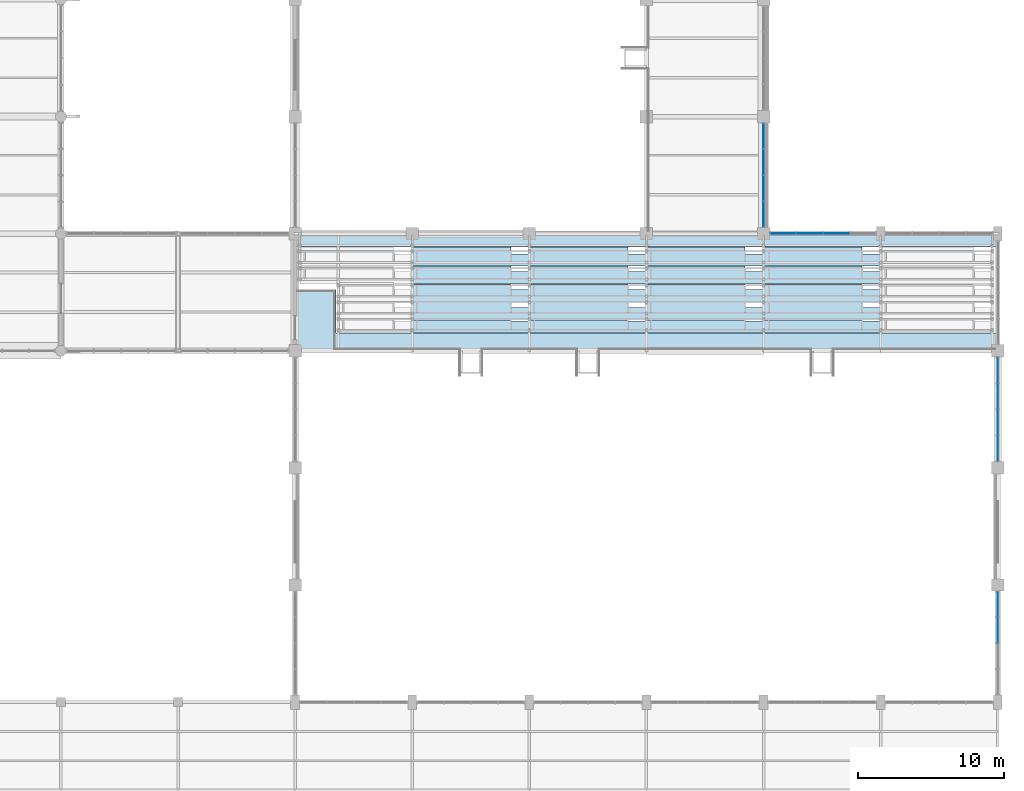
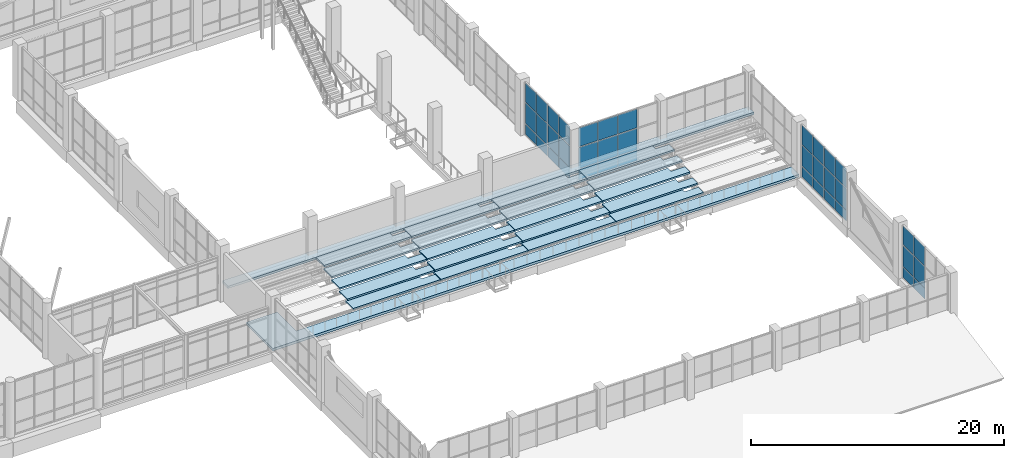
# One storey, part 93 of 122: 39 plates, 22 slabs, 4 elements without a shape of their own.
"""IFC4 building model written with IfcOpenShell, lengths in metres."""

from ifc_helpers import new_model, si_unit, direction, frame, origin, origin_2d, place, context, subcontext, project, spatial, polyline, rectangle, outline, extrude, material, layer, layer_set, type_object, element, aggregate, save


model = new_model("IFC4")

# Units and contexts
model_context = context("Model", 3, precision=1e-05, world=origin(), true_north=direction((0.0, 1.0)))
body_context = subcontext(model_context, "Body", "Model", "MODEL_VIEW")
ifc_project = project(units=[si_unit("LENGTHUNIT", "METRE"), si_unit("AREAUNIT", "SQUARE_METRE"), si_unit("VOLUMEUNIT", "CUBIC_METRE"), si_unit("PLANEANGLEUNIT", "RADIAN"), si_unit("MASSUNIT", "GRAM", prefix="KILO")], contexts=[model_context])

# Site, building, storey
site_placement = place(None, origin())
site = spatial("IfcSite", under=ifc_project, at=site_placement, CompositionType="ELEMENT")
building_placement = place(site_placement, origin())
building = spatial("IfcBuilding", under=site, at=building_placement, Name="Tenunan Teduh Sports Hall", CompositionType="ELEMENT")
storey_placement = place(building_placement, frame((0.0, 0.0, 5.39990234375)))
storey = spatial("IfcBuildingStorey", under=building, at=storey_placement, Name="L01", CompositionType="ELEMENT", Elevation=5.39990234375)

# Curtain wall, plates
ifc_material_1 = material(Name="Anodised aluminium", Category="aluminium")
curtain_wall_type = type_object("IfcCurtainWallType", Name="CW-UNIT-1", PredefinedType="NOTDEFINED", material=ifc_material_1)
curtain_wall_1_placement = place(storey_placement, origin())
curtain_wall_1 = element("IfcCurtainWall", 1, at=curtain_wall_1_placement, inside=storey, type_object=curtain_wall_type, Name="CW-CWM-200-L01-012", PredefinedType="NOTDEFINED")
ifc_material_2 = material(Name="Low-E laminated double glazing", Category="glass")
ifc_layer_1 = layer(ifc_material_2, 0.028076171875)
ifc_layer_set_1 = layer_set([ifc_layer_1], Name="Low-E laminated double glazing")
plate_type_1 = type_object("IfcPlateType", Name="CWP-GLZ-28", PredefinedType="CURTAIN_PANEL", material=ifc_layer_set_1)
plate_1_placement = place(storey_placement, frame((155.351806640625, 46.0, 1.13525390625), z_axis=(0.0, 0.0, 1.0), x_axis=(1.0, 0.0, 0.0)))
plate_1 = element("IfcPlate", 2, at=plate_1_placement, type_object=plate_type_1, Name="CW-01 panel 1.2", PredefinedType="CURTAIN_PANEL", context=body_context, shape_type="SweptSolid", body=[
    extrude(rectangle(XDim=1.7138671875, YDim=0.028076171875, at=origin_2d()), origin(), (0.0, 0.0, 1.0), 2.030029296875),
])
plate_2_placement = place(storey_placement, frame((155.351806640625, 46.0, 3.235107421875), z_axis=(0.0, 0.0, 1.0), x_axis=(1.0, 0.0, 0.0)))
plate_2 = element("IfcPlate", 3, at=plate_2_placement, type_object=plate_type_1, Name="CW-01 panel 1.3", PredefinedType="CURTAIN_PANEL", context=body_context, shape_type="SweptSolid", body=[
    extrude(rectangle(XDim=1.7138671875, YDim=0.028076171875, at=origin_2d()), origin(), (0.0, 0.0, 1.0), 1.81494140625),
])
plate_3_placement = place(storey_placement, frame((157.153076171875, 46.0, 1.13525390625), z_axis=(0.0, 0.0, 1.0), x_axis=(1.0, 0.0, 0.0)))
plate_3 = element("IfcPlate", 4, at=plate_3_placement, type_object=plate_type_1, Name="CW-01 panel 2.2", PredefinedType="CURTAIN_PANEL", context=body_context, shape_type="SweptSolid", body=[
    extrude(rectangle(XDim=1.748779296875, YDim=0.028076171875, at=origin_2d()), origin(), (0.0, 0.0, 1.0), 2.030029296875),
])
plate_4_placement = place(storey_placement, frame((157.153076171875, 46.0, 3.235107421875), z_axis=(0.0, 0.0, 1.0), x_axis=(1.0, 0.0, 0.0)))
plate_4 = element("IfcPlate", 5, at=plate_4_placement, type_object=plate_type_1, Name="CW-01 panel 2.3", PredefinedType="CURTAIN_PANEL", context=body_context, shape_type="SweptSolid", body=[
    extrude(rectangle(XDim=1.748779296875, YDim=0.028076171875, at=origin_2d()), origin(), (0.0, 0.0, 1.0), 1.81494140625),
])
plate_5_placement = place(storey_placement, frame((158.971923828125, 46.0, 1.13525390625), z_axis=(0.0, 0.0, 1.0), x_axis=(1.0, 0.0, 0.0)))
plate_5 = element("IfcPlate", 6, at=plate_5_placement, type_object=plate_type_1, Name="CW-01 panel 3.2", PredefinedType="CURTAIN_PANEL", context=body_context, shape_type="SweptSolid", body=[
    extrude(rectangle(XDim=1.748779296875, YDim=0.028076171875, at=origin_2d()), origin(), (0.0, 0.0, 1.0), 2.030029296875),
])
plate_6_placement = place(storey_placement, frame((158.971923828125, 46.0, 3.235107421875), z_axis=(0.0, 0.0, 1.0), x_axis=(1.0, 0.0, 0.0)))
plate_6 = element("IfcPlate", 7, at=plate_6_placement, type_object=plate_type_1, Name="CW-01 panel 3.3", PredefinedType="CURTAIN_PANEL", context=body_context, shape_type="SweptSolid", body=[
    extrude(rectangle(XDim=1.748779296875, YDim=0.028076171875, at=origin_2d()), origin(), (0.0, 0.0, 1.0), 1.81494140625),
])

curtain_wall_2_placement = place(storey_placement, origin())
curtain_wall_2 = element("IfcCurtainWall", 8, at=curtain_wall_2_placement, inside=storey, type_object=curtain_wall_type, Name="CW-CWM-200-L01-016", PredefinedType="NOTDEFINED")
plate_7_placement = place(storey_placement, frame((170.0, 18.921875, 1.13525390625), z_axis=(0.0, 0.0, 1.0), x_axis=(0.0, 1.0, 0.0)))
plate_7 = element("IfcPlate", 9, at=plate_7_placement, type_object=plate_type_1, Name="CW-01 panel 3.2", PredefinedType="CURTAIN_PANEL", context=body_context, shape_type="SweptSolid", body=[
    extrude(rectangle(XDim=1.69873046875, YDim=0.028076171875, at=origin_2d()), origin(), (0.0, 0.0, 1.0), 2.030029296875),
])
plate_8_placement = place(storey_placement, frame((170.0, 18.921875, 3.235107421875), z_axis=(0.0, 0.0, 1.0), x_axis=(0.0, 1.0, 0.0)))
plate_8 = element("IfcPlate", 10, at=plate_8_placement, type_object=plate_type_1, Name="CW-01 panel 3.3", PredefinedType="CURTAIN_PANEL", context=body_context, shape_type="SweptSolid", body=[
    extrude(rectangle(XDim=1.69873046875, YDim=0.028076171875, at=origin_2d()), origin(), (0.0, 0.0, 1.0), 1.81494140625),
])
plate_9_placement = place(storey_placement, frame((170.0, 20.673095703125, 1.13525390625), z_axis=(0.0, 0.0, 1.0), x_axis=(0.0, 1.0, 0.0)))
plate_9 = element("IfcPlate", 11, at=plate_9_placement, type_object=plate_type_1, Name="CW-01 panel 4.2", PredefinedType="CURTAIN_PANEL", context=body_context, shape_type="SweptSolid", body=[
    extrude(rectangle(XDim=1.663818359375, YDim=0.028076171875, at=origin_2d()), origin(), (0.0, 0.0, 1.0), 2.030029296875),
])
plate_10_placement = place(storey_placement, frame((170.0, 20.673095703125, 3.235107421875), z_axis=(0.0, 0.0, 1.0), x_axis=(0.0, 1.0, 0.0)))
plate_10 = element("IfcPlate", 12, at=plate_10_placement, type_object=plate_type_1, Name="CW-01 panel 4.3", PredefinedType="CURTAIN_PANEL", context=body_context, shape_type="SweptSolid", body=[
    extrude(rectangle(XDim=1.663818359375, YDim=0.028076171875, at=origin_2d()), origin(), (0.0, 0.0, 1.0), 1.81494140625),
])

curtain_wall_3_placement = place(storey_placement, origin())
curtain_wall_3 = element("IfcCurtainWall", 13, at=curtain_wall_3_placement, inside=storey, type_object=curtain_wall_type, Name="CW-CWM-175-L01-018", PredefinedType="NOTDEFINED")
plate_11_placement = place(storey_placement, frame((170.0, 31.3349609375, 1.1328125), z_axis=(0.0, 0.0, 1.0), x_axis=(0.0, 1.0, 0.0)))
plate_11 = element("IfcPlate", 14, at=plate_11_placement, type_object=plate_type_1, Name="CW-01 panel 1.2", PredefinedType="CURTAIN_PANEL", context=body_context, shape_type="SweptSolid", body=[
    extrude(rectangle(XDim=1.68994140625, YDim=0.028076171875, at=origin_2d()), origin(), (0.0, 0.0, 1.0), 2.034912109375),
])
plate_12_placement = place(storey_placement, frame((170.0, 31.3349609375, 3.232421875), z_axis=(0.0, 0.0, 1.0), x_axis=(0.0, 1.0, 0.0)))
plate_12 = element("IfcPlate", 15, at=plate_12_placement, type_object=plate_type_1, Name="CW-01 panel 1.3", PredefinedType="CURTAIN_PANEL", context=body_context, shape_type="SweptSolid", body=[
    extrude(rectangle(XDim=1.68994140625, YDim=0.028076171875, at=origin_2d()), origin(), (0.0, 0.0, 1.0), 1.822509765625),
])
plate_13_placement = place(storey_placement, frame((170.0, 33.106201171875, 1.1328125), z_axis=(0.0, 0.0, 1.0), x_axis=(0.0, 1.0, 0.0)))
plate_13 = element("IfcPlate", 16, at=plate_13_placement, type_object=plate_type_1, Name="CW-01 panel 2.2", PredefinedType="CURTAIN_PANEL", context=body_context, shape_type="SweptSolid", body=[
    extrude(rectangle(XDim=1.722412109375, YDim=0.028076171875, at=origin_2d()), origin(), (0.0, 0.0, 1.0), 2.034912109375),
])
plate_14_placement = place(storey_placement, frame((170.0, 33.106201171875, 3.232421875), z_axis=(0.0, 0.0, 1.0), x_axis=(0.0, 1.0, 0.0)))
plate_14 = element("IfcPlate", 17, at=plate_14_placement, type_object=plate_type_1, Name="CW-01 panel 2.3", PredefinedType="CURTAIN_PANEL", context=body_context, shape_type="SweptSolid", body=[
    extrude(rectangle(XDim=1.722412109375, YDim=0.028076171875, at=origin_2d()), origin(), (0.0, 0.0, 1.0), 1.822509765625),
])
plate_15_placement = place(storey_placement, frame((170.0, 34.893798828125, 1.1328125), z_axis=(0.0, 0.0, 1.0), x_axis=(0.0, 1.0, 0.0)))
plate_15 = element("IfcPlate", 18, at=plate_15_placement, type_object=plate_type_1, Name="CW-01 panel 3.2", PredefinedType="CURTAIN_PANEL", context=body_context, shape_type="SweptSolid", body=[
    extrude(rectangle(XDim=1.722412109375, YDim=0.028076171875, at=origin_2d()), origin(), (0.0, 0.0, 1.0), 2.034912109375),
])
plate_16_placement = place(storey_placement, frame((170.0, 34.893798828125, 3.232421875), z_axis=(0.0, 0.0, 1.0), x_axis=(0.0, 1.0, 0.0)))
plate_16 = element("IfcPlate", 19, at=plate_16_placement, type_object=plate_type_1, Name="CW-01 panel 3.3", PredefinedType="CURTAIN_PANEL", context=body_context, shape_type="SweptSolid", body=[
    extrude(rectangle(XDim=1.722412109375, YDim=0.028076171875, at=origin_2d()), origin(), (0.0, 0.0, 1.0), 1.822509765625),
])
plate_17_placement = place(storey_placement, frame((170.0, 36.6650390625, 1.1328125), z_axis=(0.0, 0.0, 1.0), x_axis=(0.0, 1.0, 0.0)))
plate_17 = element("IfcPlate", 20, at=plate_17_placement, type_object=plate_type_1, Name="CW-01 panel 4.2", PredefinedType="CURTAIN_PANEL", context=body_context, shape_type="SweptSolid", body=[
    extrude(rectangle(XDim=1.68994140625, YDim=0.028076171875, at=origin_2d()), origin(), (0.0, 0.0, 1.0), 2.034912109375),
])
plate_18_placement = place(storey_placement, frame((170.0, 36.6650390625, 3.232421875), z_axis=(0.0, 0.0, 1.0), x_axis=(0.0, 1.0, 0.0)))
plate_18 = element("IfcPlate", 21, at=plate_18_placement, type_object=plate_type_1, Name="CW-01 panel 4.3", PredefinedType="CURTAIN_PANEL", context=body_context, shape_type="SweptSolid", body=[
    extrude(rectangle(XDim=1.68994140625, YDim=0.028076171875, at=origin_2d()), origin(), (0.0, 0.0, 1.0), 1.822509765625),
])

curtain_wall_4_placement = place(storey_placement, origin())
curtain_wall_4 = element("IfcCurtainWall", 22, at=curtain_wall_4_placement, inside=storey, type_object=curtain_wall_type, Name="CW-CWM-175-L01-122", PredefinedType="NOTDEFINED")
plate_19_placement = place(storey_placement, frame((154.0, 47.3349609375, 1.1328125), z_axis=(0.0, 0.0, 1.0), x_axis=(0.0, 1.0, 0.0)))
plate_19 = element("IfcPlate", 23, at=plate_19_placement, type_object=plate_type_1, Name="CW-01 panel 1.2", PredefinedType="CURTAIN_PANEL", context=body_context, shape_type="SweptSolid", body=[
    extrude(rectangle(XDim=1.68994140625, YDim=0.028076171875, at=origin_2d()), origin(), (0.0, 0.0, 1.0), 2.034912109375),
])
plate_20_placement = place(storey_placement, frame((154.0, 47.3349609375, 3.232421875), z_axis=(0.0, 0.0, 1.0), x_axis=(0.0, 1.0, 0.0)))
plate_20 = element("IfcPlate", 24, at=plate_20_placement, type_object=plate_type_1, Name="CW-01 panel 1.3", PredefinedType="CURTAIN_PANEL", context=body_context, shape_type="SweptSolid", body=[
    extrude(rectangle(XDim=1.68994140625, YDim=0.028076171875, at=origin_2d()), origin(), (0.0, 0.0, 1.0), 1.822509765625),
])
plate_21_placement = place(storey_placement, frame((154.0, 49.106201171875, 1.1328125), z_axis=(0.0, 0.0, 1.0), x_axis=(0.0, 1.0, 0.0)))
plate_21 = element("IfcPlate", 25, at=plate_21_placement, type_object=plate_type_1, Name="CW-01 panel 2.2", PredefinedType="CURTAIN_PANEL", context=body_context, shape_type="SweptSolid", body=[
    extrude(rectangle(XDim=1.722412109375, YDim=0.028076171875, at=origin_2d()), origin(), (0.0, 0.0, 1.0), 2.034912109375),
])
plate_22_placement = place(storey_placement, frame((154.0, 49.106201171875, 3.232421875), z_axis=(0.0, 0.0, 1.0), x_axis=(0.0, 1.0, 0.0)))
plate_22 = element("IfcPlate", 26, at=plate_22_placement, type_object=plate_type_1, Name="CW-01 panel 2.3", PredefinedType="CURTAIN_PANEL", context=body_context, shape_type="SweptSolid", body=[
    extrude(rectangle(XDim=1.722412109375, YDim=0.028076171875, at=origin_2d()), origin(), (0.0, 0.0, 1.0), 1.822509765625),
])
plate_23_placement = place(storey_placement, frame((154.0, 50.893798828125, 1.1328125), z_axis=(0.0, 0.0, 1.0), x_axis=(0.0, 1.0, 0.0)))
plate_23 = element("IfcPlate", 27, at=plate_23_placement, type_object=plate_type_1, Name="CW-01 panel 3.2", PredefinedType="CURTAIN_PANEL", context=body_context, shape_type="SweptSolid", body=[
    extrude(rectangle(XDim=1.722412109375, YDim=0.028076171875, at=origin_2d()), origin(), (0.0, 0.0, 1.0), 2.034912109375),
])
plate_24_placement = place(storey_placement, frame((154.0, 50.893798828125, 3.232421875), z_axis=(0.0, 0.0, 1.0), x_axis=(0.0, 1.0, 0.0)))
plate_24 = element("IfcPlate", 28, at=plate_24_placement, type_object=plate_type_1, Name="CW-01 panel 3.3", PredefinedType="CURTAIN_PANEL", context=body_context, shape_type="SweptSolid", body=[
    extrude(rectangle(XDim=1.722412109375, YDim=0.028076171875, at=origin_2d()), origin(), (0.0, 0.0, 1.0), 1.822509765625),
])
plate_25_placement = place(storey_placement, frame((154.0, 52.6650390625, 1.1328125), z_axis=(0.0, 0.0, 1.0), x_axis=(0.0, 1.0, 0.0)))
plate_25 = element("IfcPlate", 29, at=plate_25_placement, type_object=plate_type_1, Name="CW-01 panel 4.2", PredefinedType="CURTAIN_PANEL", context=body_context, shape_type="SweptSolid", body=[
    extrude(rectangle(XDim=1.68994140625, YDim=0.028076171875, at=origin_2d()), origin(), (0.0, 0.0, 1.0), 2.034912109375),
])
plate_26_placement = place(storey_placement, frame((154.0, 52.6650390625, 3.232421875), z_axis=(0.0, 0.0, 1.0), x_axis=(0.0, 1.0, 0.0)))
plate_26 = element("IfcPlate", 30, at=plate_26_placement, type_object=plate_type_1, Name="CW-01 panel 4.3", PredefinedType="CURTAIN_PANEL", context=body_context, shape_type="SweptSolid", body=[
    extrude(rectangle(XDim=1.68994140625, YDim=0.028076171875, at=origin_2d()), origin(), (0.0, 0.0, 1.0), 1.822509765625),
])

# Plate
ifc_material_3 = material(Name="Insulated aluminium spandrel panel", Category="aluminium")
ifc_layer_2 = layer(ifc_material_3, 0.044921875)
ifc_layer_set_2 = layer_set([ifc_layer_2], Name="Insulated aluminium spandrel panel")
plate_type_2 = type_object("IfcPlateType", Name="CWP-SPN-45", PredefinedType="CURTAIN_PANEL", material=ifc_layer_set_2)
plate_27_placement = place(storey_placement, frame((155.351806640625, 46.0, 0.070068359375), z_axis=(0.0, 0.0, 1.0), x_axis=(1.0, 0.0, 0.0)))
plate_27 = element("IfcPlate", 31, at=plate_27_placement, type_object=plate_type_2, Name="CW-01 panel 1.1", PredefinedType="CURTAIN_PANEL", context=body_context, shape_type="SweptSolid", body=[
    extrude(rectangle(XDim=1.7138671875, YDim=0.028076171875, at=origin_2d()), origin(), (0.0, 0.0, 1.0), 0.9951171875),
])

plate_28_placement = place(storey_placement, frame((157.153076171875, 46.0, 0.070068359375), z_axis=(0.0, 0.0, 1.0), x_axis=(1.0, 0.0, 0.0)))
plate_28 = element("IfcPlate", 32, at=plate_28_placement, type_object=plate_type_2, Name="CW-01 panel 2.1", PredefinedType="CURTAIN_PANEL", context=body_context, shape_type="SweptSolid", body=[
    extrude(rectangle(XDim=1.748779296875, YDim=0.028076171875, at=origin_2d()), origin(), (0.0, 0.0, 1.0), 0.9951171875),
])

plate_29_placement = place(storey_placement, frame((158.971923828125, 46.0, 0.070068359375), z_axis=(0.0, 0.0, 1.0), x_axis=(1.0, 0.0, 0.0)))
plate_29 = element("IfcPlate", 33, at=plate_29_placement, type_object=plate_type_2, Name="CW-01 panel 3.1", PredefinedType="CURTAIN_PANEL", context=body_context, shape_type="SweptSolid", body=[
    extrude(rectangle(XDim=1.748779296875, YDim=0.028076171875, at=origin_2d()), origin(), (0.0, 0.0, 1.0), 0.9951171875),
])

aggregate(curtain_wall_1, [plate_27, plate_1, plate_2, plate_28, plate_3, plate_4, plate_29, plate_5, plate_6])

plate_30_placement = place(storey_placement, frame((170.0, 18.921875, 0.070068359375), z_axis=(0.0, 0.0, 1.0), x_axis=(0.0, 1.0, 0.0)))
plate_30 = element("IfcPlate", 34, at=plate_30_placement, type_object=plate_type_2, Name="CW-01 panel 3.1", PredefinedType="CURTAIN_PANEL", context=body_context, shape_type="SweptSolid", body=[
    extrude(rectangle(XDim=1.69873046875, YDim=0.028076171875, at=origin_2d()), origin(), (0.0, 0.0, 1.0), 0.9951171875),
])

plate_31_placement = place(storey_placement, frame((170.0, 20.673095703125, 0.070068359375), z_axis=(0.0, 0.0, 1.0), x_axis=(0.0, 1.0, 0.0)))
plate_31 = element("IfcPlate", 35, at=plate_31_placement, type_object=plate_type_2, Name="CW-01 panel 4.1", PredefinedType="CURTAIN_PANEL", context=body_context, shape_type="SweptSolid", body=[
    extrude(rectangle(XDim=1.663818359375, YDim=0.028076171875, at=origin_2d()), origin(), (0.0, 0.0, 1.0), 0.9951171875),
])

aggregate(curtain_wall_2, [plate_30, plate_7, plate_8, plate_31, plate_9, plate_10])

plate_32_placement = place(storey_placement, frame((170.0, 31.3349609375, 0.065185546875), z_axis=(0.0, 0.0, 1.0), x_axis=(0.0, 1.0, 0.0)))
plate_32 = element("IfcPlate", 36, at=plate_32_placement, type_object=plate_type_2, Name="CW-01 panel 1.1", PredefinedType="CURTAIN_PANEL", context=body_context, shape_type="SweptSolid", body=[
    extrude(rectangle(XDim=1.68994140625, YDim=0.028076171875, at=origin_2d()), origin(), (0.0, 0.0, 1.0), 1.00244140625),
])

plate_33_placement = place(storey_placement, frame((170.0, 33.106201171875, 0.065185546875), z_axis=(0.0, 0.0, 1.0), x_axis=(0.0, 1.0, 0.0)))
plate_33 = element("IfcPlate", 37, at=plate_33_placement, type_object=plate_type_2, Name="CW-01 panel 2.1", PredefinedType="CURTAIN_PANEL", context=body_context, shape_type="SweptSolid", body=[
    extrude(rectangle(XDim=1.722412109375, YDim=0.028076171875, at=origin_2d()), origin(), (0.0, 0.0, 1.0), 1.00244140625),
])

plate_34_placement = place(storey_placement, frame((170.0, 34.893798828125, 0.065185546875), z_axis=(0.0, 0.0, 1.0), x_axis=(0.0, 1.0, 0.0)))
plate_34 = element("IfcPlate", 38, at=plate_34_placement, type_object=plate_type_2, Name="CW-01 panel 3.1", PredefinedType="CURTAIN_PANEL", context=body_context, shape_type="SweptSolid", body=[
    extrude(rectangle(XDim=1.722412109375, YDim=0.028076171875, at=origin_2d()), origin(), (0.0, 0.0, 1.0), 1.00244140625),
])

plate_35_placement = place(storey_placement, frame((170.0, 36.6650390625, 0.065185546875), z_axis=(0.0, 0.0, 1.0), x_axis=(0.0, 1.0, 0.0)))
plate_35 = element("IfcPlate", 39, at=plate_35_placement, type_object=plate_type_2, Name="CW-01 panel 4.1", PredefinedType="CURTAIN_PANEL", context=body_context, shape_type="SweptSolid", body=[
    extrude(rectangle(XDim=1.68994140625, YDim=0.028076171875, at=origin_2d()), origin(), (0.0, 0.0, 1.0), 1.00244140625),
])

aggregate(curtain_wall_3, [plate_32, plate_11, plate_12, plate_33, plate_13, plate_14, plate_34, plate_15, plate_16, plate_35, plate_17, plate_18])

plate_36_placement = place(storey_placement, frame((154.0, 47.3349609375, 0.065185546875), z_axis=(0.0, 0.0, 1.0), x_axis=(0.0, 1.0, 0.0)))
plate_36 = element("IfcPlate", 40, at=plate_36_placement, type_object=plate_type_2, Name="CW-01 panel 1.1", PredefinedType="CURTAIN_PANEL", context=body_context, shape_type="SweptSolid", body=[
    extrude(rectangle(XDim=1.68994140625, YDim=0.028076171875, at=origin_2d()), origin(), (0.0, 0.0, 1.0), 1.00244140625),
])

plate_37_placement = place(storey_placement, frame((154.0, 49.106201171875, 0.065185546875), z_axis=(0.0, 0.0, 1.0), x_axis=(0.0, 1.0, 0.0)))
plate_37 = element("IfcPlate", 41, at=plate_37_placement, type_object=plate_type_2, Name="CW-01 panel 2.1", PredefinedType="CURTAIN_PANEL", context=body_context, shape_type="SweptSolid", body=[
    extrude(rectangle(XDim=1.722412109375, YDim=0.028076171875, at=origin_2d()), origin(), (0.0, 0.0, 1.0), 1.00244140625),
])

plate_38_placement = place(storey_placement, frame((154.0, 50.893798828125, 0.065185546875), z_axis=(0.0, 0.0, 1.0), x_axis=(0.0, 1.0, 0.0)))
plate_38 = element("IfcPlate", 42, at=plate_38_placement, type_object=plate_type_2, Name="CW-01 panel 3.1", PredefinedType="CURTAIN_PANEL", context=body_context, shape_type="SweptSolid", body=[
    extrude(rectangle(XDim=1.722412109375, YDim=0.028076171875, at=origin_2d()), origin(), (0.0, 0.0, 1.0), 1.00244140625),
])

plate_39_placement = place(storey_placement, frame((154.0, 52.6650390625, 0.065185546875), z_axis=(0.0, 0.0, 1.0), x_axis=(0.0, 1.0, 0.0)))
plate_39 = element("IfcPlate", 43, at=plate_39_placement, type_object=plate_type_2, Name="CW-01 panel 4.1", PredefinedType="CURTAIN_PANEL", context=body_context, shape_type="SweptSolid", body=[
    extrude(rectangle(XDim=1.68994140625, YDim=0.028076171875, at=origin_2d()), origin(), (0.0, 0.0, 1.0), 1.00244140625),
])

aggregate(curtain_wall_4, [plate_36, plate_19, plate_20, plate_37, plate_21, plate_22, plate_38, plate_23, plate_24, plate_39, plate_25, plate_26])

# Slabs
ifc_material_4 = material(Name="Concrete C40/50", Category="concrete")
ifc_layer_3 = layer(ifc_material_4, 0.219970703125)
ifc_layer_set_3 = layer_set([ifc_layer_3], Name="Concrete C40/50")
slab_type_1 = type_object("IfcSlabType", Name="SLB-FLR-220", PredefinedType="FLOOR", material=ifc_layer_set_3)
slab_1_placement = place(storey_placement, frame((0.0, 0.0, 1.47998046875)))
element("IfcSlab", 44, at=slab_1_placement, inside=storey, type_object=slab_type_1, Name="SL-RCON-V1-L01", PredefinedType="FLOOR", context=body_context, shape_type="SweptSolid", body=[
    extrude(outline(polyline([(122.0, 45.10009765625), (170.0, 45.10009765625), (170.0, 46.0), (122.0, 46.0), (122.0, 45.10009765625)])), origin(), (0.0, 0.0, 1.0), 0.22021484375),
])
ifc_material_5 = material(Name="Concrete C40/50", Category="concrete")
ifc_layer_4 = layer(ifc_material_5, 0.239990234375)
ifc_layer_set_4 = layer_set([ifc_layer_4], Name="Concrete C40/50")
slab_type_2 = type_object("IfcSlabType", Name="SLB-FLR-240", PredefinedType="FLOOR", material=ifc_layer_set_4)
slab_2_placement = place(storey_placement, frame((0.0, 0.0, -0.239990234375)))
element("IfcSlab", 45, at=slab_2_placement, inside=storey, type_object=slab_type_2, Name="SL-L01-V1-GAL", PredefinedType="FLOOR", context=body_context, shape_type="SweptSolid", body=[
    extrude(outline(polyline([(122.0, 38.0), (170.0, 38.0), (170.0, 39.199951171875), (124.800048828125, 39.199951171875), (124.800048828125, 42.199951171875), (122.0, 42.199951171875), (122.0, 38.0)])), origin(), (0.0, 0.0, 1.0), 0.239990234375),
])
ifc_material_6 = material(Name="Precast concrete C40/50", Category="concrete")
ifc_layer_5 = layer(ifc_material_6, 0.155029296875)
ifc_layer_set_5 = layer_set([ifc_layer_5], Name="Precast concrete C40/50")
slab_type_3 = type_object("IfcSlabType", Name="SLB-TIER-155", PredefinedType="USERDEFINED", material=ifc_layer_set_5)
slab_3_placement = place(storey_placement, frame((0.0, 0.0, 0.525146484375)))
element("IfcSlab", 46, at=slab_3_placement, inside=storey, type_object=slab_type_3, Name="SL-TIER-V1-L01-2-2", ObjectType="SEATING TIER", PredefinedType="USERDEFINED", context=body_context, shape_type="SweptSolid", body=[
    extrude(outline(polyline([(130.02001953125, 40.1201171875), (137.97998046875, 40.1201171875), (137.97998046875, 40.9599609375), (136.72998046875, 40.9599609375), (136.72998046875, 41.43994140625), (130.02001953125, 41.43994140625), (130.02001953125, 40.1201171875)])), origin(), (0.0, 0.0, 1.0), 0.155029296875),
])
slab_4_placement = place(storey_placement, frame((0.0, 0.0, 1.205078125)))
element("IfcSlab", 47, at=slab_4_placement, inside=storey, type_object=slab_type_3, Name="SL-TIER-V1-L01-2-4", ObjectType="SEATING TIER", PredefinedType="USERDEFINED", context=body_context, shape_type="SweptSolid", body=[
    extrude(outline(polyline([(130.02001953125, 42.56005859375), (137.97998046875, 42.56005859375), (137.97998046875, 43.39990234375), (136.72998046875, 43.39990234375), (136.72998046875, 43.8798828125), (130.02001953125, 43.8798828125), (130.02001953125, 42.56005859375)])), origin(), (0.0, 0.0, 1.0), 0.155029296875),
])
slab_5_placement = place(storey_placement, frame((0.0, 0.0, 0.525146484375)))
element("IfcSlab", 48, at=slab_5_placement, inside=storey, type_object=slab_type_3, Name="SL-TIER-V1-L01-3-2", ObjectType="SEATING TIER", PredefinedType="USERDEFINED", context=body_context, shape_type="SweptSolid", body=[
    extrude(outline(polyline([(138.02001953125, 40.1201171875), (145.97998046875, 40.1201171875), (145.97998046875, 40.9599609375), (144.72998046875, 40.9599609375), (144.72998046875, 41.43994140625), (138.02001953125, 41.43994140625), (138.02001953125, 40.1201171875)])), origin(), (0.0, 0.0, 1.0), 0.155029296875),
])
slab_6_placement = place(storey_placement, frame((0.0, 0.0, 1.205078125)))
element("IfcSlab", 49, at=slab_6_placement, inside=storey, type_object=slab_type_3, Name="SL-TIER-V1-L01-3-4", ObjectType="SEATING TIER", PredefinedType="USERDEFINED", context=body_context, shape_type="SweptSolid", body=[
    extrude(outline(polyline([(138.02001953125, 42.56005859375), (145.97998046875, 42.56005859375), (145.97998046875, 43.39990234375), (144.72998046875, 43.39990234375), (144.72998046875, 43.8798828125), (138.02001953125, 43.8798828125), (138.02001953125, 42.56005859375)])), origin(), (0.0, 0.0, 1.0), 0.155029296875),
])
slab_7_placement = place(storey_placement, frame((0.0, 0.0, 0.525146484375)))
element("IfcSlab", 50, at=slab_7_placement, inside=storey, type_object=slab_type_3, Name="SL-TIER-V1-L01-4-2", ObjectType="SEATING TIER", PredefinedType="USERDEFINED", context=body_context, shape_type="SweptSolid", body=[
    extrude(outline(polyline([(146.02001953125, 40.1201171875), (153.97998046875, 40.1201171875), (153.97998046875, 40.9599609375), (152.72998046875, 40.9599609375), (152.72998046875, 41.43994140625), (146.02001953125, 41.43994140625), (146.02001953125, 40.1201171875)])), origin(), (0.0, 0.0, 1.0), 0.155029296875),
])
slab_8_placement = place(storey_placement, frame((0.0, 0.0, 1.205078125)))
element("IfcSlab", 51, at=slab_8_placement, inside=storey, type_object=slab_type_3, Name="SL-TIER-V1-L01-4-4", ObjectType="SEATING TIER", PredefinedType="USERDEFINED", context=body_context, shape_type="SweptSolid", body=[
    extrude(outline(polyline([(146.02001953125, 42.56005859375), (153.97998046875, 42.56005859375), (153.97998046875, 43.39990234375), (152.72998046875, 43.39990234375), (152.72998046875, 43.8798828125), (146.02001953125, 43.8798828125), (146.02001953125, 42.56005859375)])), origin(), (0.0, 0.0, 1.0), 0.155029296875),
])
slab_9_placement = place(storey_placement, frame((0.0, 0.0, 0.525146484375)))
element("IfcSlab", 52, at=slab_9_placement, inside=storey, type_object=slab_type_3, Name="SL-TIER-V1-L01-5-2", ObjectType="SEATING TIER", PredefinedType="USERDEFINED", context=body_context, shape_type="SweptSolid", body=[
    extrude(outline(polyline([(154.02001953125, 40.1201171875), (161.97998046875, 40.1201171875), (161.97998046875, 40.9599609375), (160.72998046875, 40.9599609375), (160.72998046875, 41.43994140625), (154.02001953125, 41.43994140625), (154.02001953125, 40.1201171875)])), origin(), (0.0, 0.0, 1.0), 0.155029296875),
])
slab_10_placement = place(storey_placement, frame((0.0, 0.0, 1.205078125)))
element("IfcSlab", 53, at=slab_10_placement, inside=storey, type_object=slab_type_3, Name="SL-TIER-V1-L01-5-4", ObjectType="SEATING TIER", PredefinedType="USERDEFINED", context=body_context, shape_type="SweptSolid", body=[
    extrude(outline(polyline([(154.02001953125, 42.56005859375), (161.97998046875, 42.56005859375), (161.97998046875, 43.39990234375), (160.72998046875, 43.39990234375), (160.72998046875, 43.8798828125), (154.02001953125, 43.8798828125), (154.02001953125, 42.56005859375)])), origin(), (0.0, 0.0, 1.0), 0.155029296875),
])
ifc_material_7 = material(Name="Precast concrete C40/50", Category="concrete")
ifc_layer_6 = layer(ifc_material_7, 0.169921875)
ifc_layer_set_6 = layer_set([ifc_layer_6], Name="Precast concrete C40/50")
slab_type_4 = type_object("IfcSlabType", Name="SLB-TIER-170", PredefinedType="USERDEFINED", material=ifc_layer_set_6)
slab_11_placement = place(storey_placement, frame((0.0, 0.0, 0.170166015625)))
element("IfcSlab", 54, at=slab_11_placement, inside=storey, type_object=slab_type_4, Name="SL-TIER-V1-L01-2-1", ObjectType="SEATING TIER", PredefinedType="USERDEFINED", context=body_context, shape_type="SweptSolid", body=[
    extrude(outline(polyline([(130.02001953125, 39.199951171875), (137.97998046875, 39.199951171875), (137.97998046875, 40.0400390625), (136.72998046875, 40.0400390625), (136.72998046875, 40.52001953125), (130.02001953125, 40.52001953125), (130.02001953125, 39.199951171875)])), origin(), (0.0, 0.0, 1.0), 0.169921875),
])
slab_12_placement = place(storey_placement, frame((0.0, 0.0, 0.85009765625)))
element("IfcSlab", 55, at=slab_12_placement, inside=storey, type_object=slab_type_4, Name="SL-TIER-V1-L01-2-3", ObjectType="SEATING TIER", PredefinedType="USERDEFINED", context=body_context, shape_type="SweptSolid", body=[
    extrude(outline(polyline([(130.02001953125, 41.340087890625), (137.97998046875, 41.340087890625), (137.97998046875, 42.179931640625), (136.72998046875, 42.179931640625), (136.72998046875, 42.659912109375), (130.02001953125, 42.659912109375), (130.02001953125, 41.340087890625)])), origin(), (0.0, 0.0, 1.0), 0.169921875),
])
slab_13_placement = place(storey_placement, frame((0.0, 0.0, 1.530029296875)))
element("IfcSlab", 56, at=slab_13_placement, inside=storey, type_object=slab_type_4, Name="SL-TIER-V1-L01-2-5", ObjectType="SEATING TIER", PredefinedType="USERDEFINED", context=body_context, shape_type="SweptSolid", body=[
    extrude(outline(polyline([(130.02001953125, 43.780029296875), (137.97998046875, 43.780029296875), (137.97998046875, 44.6201171875), (136.72998046875, 44.6201171875), (136.72998046875, 45.10009765625), (130.02001953125, 45.10009765625), (130.02001953125, 43.780029296875)])), origin(), (0.0, 0.0, 1.0), 0.170166015625),
])
slab_14_placement = place(storey_placement, frame((0.0, 0.0, 0.170166015625)))
element("IfcSlab", 57, at=slab_14_placement, inside=storey, type_object=slab_type_4, Name="SL-TIER-V1-L01-3-1", ObjectType="SEATING TIER", PredefinedType="USERDEFINED", context=body_context, shape_type="SweptSolid", body=[
    extrude(outline(polyline([(138.02001953125, 39.199951171875), (145.97998046875, 39.199951171875), (145.97998046875, 40.0400390625), (144.72998046875, 40.0400390625), (144.72998046875, 40.52001953125), (138.02001953125, 40.52001953125), (138.02001953125, 39.199951171875)])), origin(), (0.0, 0.0, 1.0), 0.169921875),
])
slab_15_placement = place(storey_placement, frame((0.0, 0.0, 0.85009765625)))
element("IfcSlab", 58, at=slab_15_placement, inside=storey, type_object=slab_type_4, Name="SL-TIER-V1-L01-3-3", ObjectType="SEATING TIER", PredefinedType="USERDEFINED", context=body_context, shape_type="SweptSolid", body=[
    extrude(outline(polyline([(138.02001953125, 41.340087890625), (145.97998046875, 41.340087890625), (145.97998046875, 42.179931640625), (144.72998046875, 42.179931640625), (144.72998046875, 42.659912109375), (138.02001953125, 42.659912109375), (138.02001953125, 41.340087890625)])), origin(), (0.0, 0.0, 1.0), 0.169921875),
])
slab_16_placement = place(storey_placement, frame((0.0, 0.0, 1.530029296875)))
element("IfcSlab", 59, at=slab_16_placement, inside=storey, type_object=slab_type_4, Name="SL-TIER-V1-L01-3-5", ObjectType="SEATING TIER", PredefinedType="USERDEFINED", context=body_context, shape_type="SweptSolid", body=[
    extrude(outline(polyline([(138.02001953125, 43.780029296875), (145.97998046875, 43.780029296875), (145.97998046875, 44.6201171875), (144.72998046875, 44.6201171875), (144.72998046875, 45.10009765625), (138.02001953125, 45.10009765625), (138.02001953125, 43.780029296875)])), origin(), (0.0, 0.0, 1.0), 0.170166015625),
])
slab_17_placement = place(storey_placement, frame((0.0, 0.0, 0.170166015625)))
element("IfcSlab", 60, at=slab_17_placement, inside=storey, type_object=slab_type_4, Name="SL-TIER-V1-L01-4-1", ObjectType="SEATING TIER", PredefinedType="USERDEFINED", context=body_context, shape_type="SweptSolid", body=[
    extrude(outline(polyline([(146.02001953125, 39.199951171875), (153.97998046875, 39.199951171875), (153.97998046875, 40.0400390625), (152.72998046875, 40.0400390625), (152.72998046875, 40.52001953125), (146.02001953125, 40.52001953125), (146.02001953125, 39.199951171875)])), origin(), (0.0, 0.0, 1.0), 0.169921875),
])
slab_18_placement = place(storey_placement, frame((0.0, 0.0, 0.85009765625)))
element("IfcSlab", 61, at=slab_18_placement, inside=storey, type_object=slab_type_4, Name="SL-TIER-V1-L01-4-3", ObjectType="SEATING TIER", PredefinedType="USERDEFINED", context=body_context, shape_type="SweptSolid", body=[
    extrude(outline(polyline([(146.02001953125, 41.340087890625), (153.97998046875, 41.340087890625), (153.97998046875, 42.179931640625), (152.72998046875, 42.179931640625), (152.72998046875, 42.659912109375), (146.02001953125, 42.659912109375), (146.02001953125, 41.340087890625)])), origin(), (0.0, 0.0, 1.0), 0.169921875),
])
slab_19_placement = place(storey_placement, frame((0.0, 0.0, 1.530029296875)))
element("IfcSlab", 62, at=slab_19_placement, inside=storey, type_object=slab_type_4, Name="SL-TIER-V1-L01-4-5", ObjectType="SEATING TIER", PredefinedType="USERDEFINED", context=body_context, shape_type="SweptSolid", body=[
    extrude(outline(polyline([(146.02001953125, 43.780029296875), (153.97998046875, 43.780029296875), (153.97998046875, 44.6201171875), (152.72998046875, 44.6201171875), (152.72998046875, 45.10009765625), (146.02001953125, 45.10009765625), (146.02001953125, 43.780029296875)])), origin(), (0.0, 0.0, 1.0), 0.170166015625),
])
slab_20_placement = place(storey_placement, frame((0.0, 0.0, 0.170166015625)))
element("IfcSlab", 63, at=slab_20_placement, inside=storey, type_object=slab_type_4, Name="SL-TIER-V1-L01-5-1", ObjectType="SEATING TIER", PredefinedType="USERDEFINED", context=body_context, shape_type="SweptSolid", body=[
    extrude(outline(polyline([(154.02001953125, 39.199951171875), (161.97998046875, 39.199951171875), (161.97998046875, 40.0400390625), (160.72998046875, 40.0400390625), (160.72998046875, 40.52001953125), (154.02001953125, 40.52001953125), (154.02001953125, 39.199951171875)])), origin(), (0.0, 0.0, 1.0), 0.169921875),
])
slab_21_placement = place(storey_placement, frame((0.0, 0.0, 0.85009765625)))
element("IfcSlab", 64, at=slab_21_placement, inside=storey, type_object=slab_type_4, Name="SL-TIER-V1-L01-5-3", ObjectType="SEATING TIER", PredefinedType="USERDEFINED", context=body_context, shape_type="SweptSolid", body=[
    extrude(outline(polyline([(154.02001953125, 41.340087890625), (161.97998046875, 41.340087890625), (161.97998046875, 42.179931640625), (160.72998046875, 42.179931640625), (160.72998046875, 42.659912109375), (154.02001953125, 42.659912109375), (154.02001953125, 41.340087890625)])), origin(), (0.0, 0.0, 1.0), 0.169921875),
])
slab_22_placement = place(storey_placement, frame((0.0, 0.0, 1.530029296875)))
element("IfcSlab", 65, at=slab_22_placement, inside=storey, type_object=slab_type_4, Name="SL-TIER-V1-L01-5-5", ObjectType="SEATING TIER", PredefinedType="USERDEFINED", context=body_context, shape_type="SweptSolid", body=[
    extrude(outline(polyline([(154.02001953125, 43.780029296875), (161.97998046875, 43.780029296875), (161.97998046875, 44.6201171875), (160.72998046875, 44.6201171875), (160.72998046875, 45.10009765625), (154.02001953125, 45.10009765625), (154.02001953125, 43.780029296875)])), origin(), (0.0, 0.0, 1.0), 0.170166015625),
])

save(model, "model.ifc")
